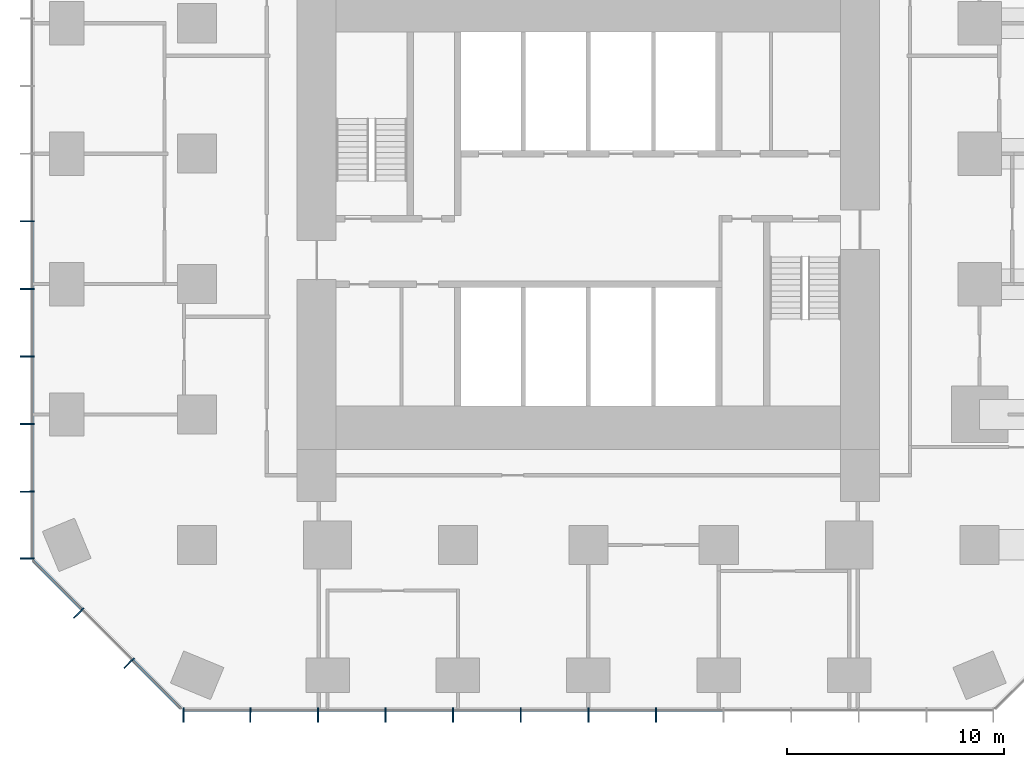
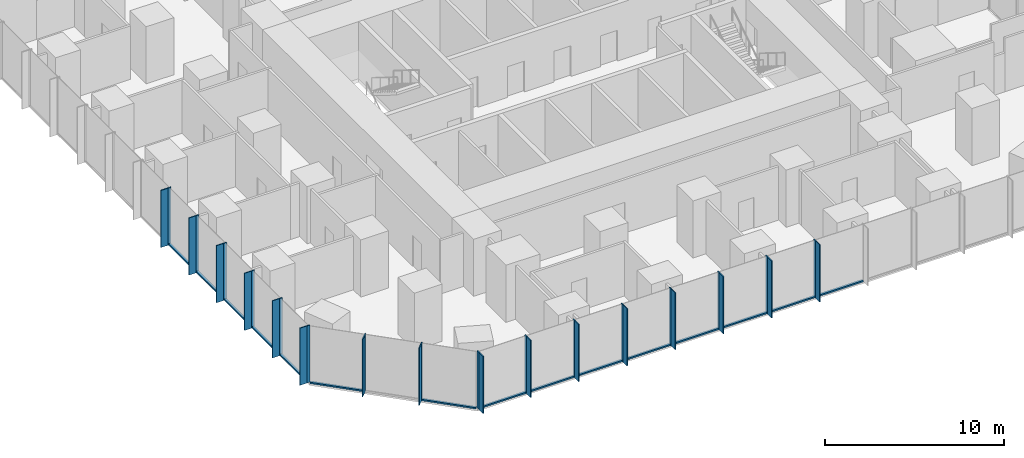
# One storey, part 2 of 12: 47 members, 3 elements without a shape of their own.
"""IFC4 building model written with IfcOpenShell, lengths in metres."""

from ifc_helpers import new_model, si_unit, direction, frame, origin, origin_2d, place, context, subcontext, project, spatial, rectangle, extrude, material, layer, layer_set, material_profile, profile_set, type_object, element, aggregate, save


model = new_model("IFC4")

# Units and contexts
model_context = context("Model", 3, precision=1e-05, world=origin(), true_north=direction((0.0, 1.0)))
body_context = subcontext(model_context, "Body", "Model", "MODEL_VIEW")
ifc_project = project(units=[si_unit("LENGTHUNIT", "METRE"), si_unit("AREAUNIT", "SQUARE_METRE"), si_unit("VOLUMEUNIT", "CUBIC_METRE"), si_unit("PLANEANGLEUNIT", "RADIAN"), si_unit("MASSUNIT", "GRAM", prefix="KILO")], contexts=[model_context])

# Site, building, storey
site_placement = place(None, origin())
site = spatial("IfcSite", under=ifc_project, at=site_placement, CompositionType="ELEMENT")
building_placement = place(site_placement, origin())
building = spatial("IfcBuilding", under=site, at=building_placement, Name="Highveld Stack Headquarters", CompositionType="ELEMENT")
storey_placement = place(building_placement, frame((0.0, 0.0, 68.89990234375)))
storey = spatial("IfcBuildingStorey", under=building, at=storey_placement, Name="L16", CompositionType="ELEMENT", Elevation=68.89990234375)

# Curtain wall, members
ifc_material_1 = material(Name="Aluminium bronze anodised", Category="aluminium")
ifc_layer_1 = layer(ifc_material_1, 0.199951171875)
ifc_layer_set_1 = layer_set([ifc_layer_1], Name="Aluminium bronze anodised")
curtain_wall_type_1 = type_object("IfcCurtainWallType", Name="CW1 TOWER UNITISED CURTAIN WALL", PredefinedType="NOTDEFINED", material=ifc_layer_set_1)
curtain_wall_1_placement = place(storey_placement, origin())
curtain_wall_1 = element("IfcCurtainWall", 1, at=curtain_wall_1_placement, inside=storey, type_object=curtain_wall_type_1, Name="Curtain wall CW1 L16 S", PredefinedType="NOTDEFINED")
ifc_material_2 = material(Name="Aluminium bronze anodised", Category="aluminium")
ifc_material_profile_1 = material_profile(ifc_material_2, rectangle(XDim=0.449951171875, YDim=0.06005859375, at=origin_2d()), Name="FIN 450x60")
ifc_profile_set_1 = profile_set([ifc_material_profile_1], Name="Aluminium bronze anodised")
member_type_1 = type_object("IfcMemberType", Name="CW1 BRONZE FIN 450x60", PredefinedType="USERDEFINED", material=ifc_profile_set_1)
member_1_placement = place(storey_placement, frame((-12.630126953125, -19.925048828125, 0.0), z_axis=(0.0, 0.0, 1.0), x_axis=(0.0, 1.0, 0.0)))
member_1 = element("IfcMember", 2, at=member_1_placement, type_object=member_type_1, Name="CW1 fin L16 1", ObjectType="FIN", PredefinedType="USERDEFINED", context=body_context, shape_type="SweptSolid", body=[
    extrude(rectangle(XDim=0.449951171875, YDim=0.06005859375, at=origin_2d()), origin(), (0.0, 0.0, 1.0), 3.900146484375),
])
member_2_placement = place(storey_placement, frame((-9.55224609375, -19.925048828125, 0.0), z_axis=(0.0, 0.0, 1.0), x_axis=(0.0, 1.0, 0.0)))
member_2 = element("IfcMember", 3, at=member_2_placement, type_object=member_type_1, Name="CW1 fin L16 2", ObjectType="FIN", PredefinedType="USERDEFINED", context=body_context, shape_type="SweptSolid", body=[
    extrude(rectangle(XDim=0.449951171875, YDim=0.06005859375, at=origin_2d()), origin(), (0.0, 0.0, 1.0), 3.900146484375),
])
member_3_placement = place(storey_placement, frame((-6.44189453125, -19.925048828125, 0.0), z_axis=(0.0, 0.0, 1.0), x_axis=(0.0, 1.0, 0.0)))
member_3 = element("IfcMember", 4, at=member_3_placement, type_object=member_type_1, Name="CW1 fin L16 3", ObjectType="FIN", PredefinedType="USERDEFINED", context=body_context, shape_type="SweptSolid", body=[
    extrude(rectangle(XDim=0.449951171875, YDim=0.06005859375, at=origin_2d()), origin(), (0.0, 0.0, 1.0), 3.900146484375),
])
member_4_placement = place(storey_placement, frame((-3.331298828125, -19.925048828125, 0.0), z_axis=(0.0, 0.0, 1.0), x_axis=(0.0, 1.0, 0.0)))
member_4 = element("IfcMember", 5, at=member_4_placement, type_object=member_type_1, Name="CW1 fin L16 4", ObjectType="FIN", PredefinedType="USERDEFINED", context=body_context, shape_type="SweptSolid", body=[
    extrude(rectangle(XDim=0.449951171875, YDim=0.06005859375, at=origin_2d()), origin(), (0.0, 0.0, 1.0), 3.900146484375),
])
member_5_placement = place(storey_placement, frame((-0.220947265625, -19.925048828125, 0.0), z_axis=(0.0, 0.0, 1.0), x_axis=(0.0, 1.0, 0.0)))
member_5 = element("IfcMember", 6, at=member_5_placement, type_object=member_type_1, Name="CW1 fin L16 5", ObjectType="FIN", PredefinedType="USERDEFINED", context=body_context, shape_type="SweptSolid", body=[
    extrude(rectangle(XDim=0.449951171875, YDim=0.06005859375, at=origin_2d()), origin(), (0.0, 0.0, 1.0), 3.900146484375),
])
member_6_placement = place(storey_placement, frame((2.8896484375, -19.925048828125, 0.0), z_axis=(0.0, 0.0, 1.0), x_axis=(0.0, 1.0, 0.0)))
member_6 = element("IfcMember", 7, at=member_6_placement, type_object=member_type_1, Name="CW1 fin L16 6", ObjectType="FIN", PredefinedType="USERDEFINED", context=body_context, shape_type="SweptSolid", body=[
    extrude(rectangle(XDim=0.449951171875, YDim=0.06005859375, at=origin_2d()), origin(), (0.0, 0.0, 1.0), 3.900146484375),
])
member_7_placement = place(storey_placement, frame((6.0, -19.925048828125, 0.0), z_axis=(0.0, 0.0, 1.0), x_axis=(0.0, 1.0, 0.0)))
member_7 = element("IfcMember", 8, at=member_7_placement, type_object=member_type_1, Name="CW1 fin L16 7", ObjectType="FIN", PredefinedType="USERDEFINED", context=body_context, shape_type="SweptSolid", body=[
    extrude(rectangle(XDim=0.449951171875, YDim=0.06005859375, at=origin_2d()), origin(), (0.0, 0.0, 1.0), 3.900146484375),
])
member_8_placement = place(storey_placement, frame((9.110595703125, -19.925048828125, 0.0), z_axis=(0.0, 0.0, 1.0), x_axis=(0.0, 1.0, 0.0)))
member_8 = element("IfcMember", 9, at=member_8_placement, type_object=member_type_1, Name="CW1 fin L16 8", ObjectType="FIN", PredefinedType="USERDEFINED", context=body_context, shape_type="SweptSolid", body=[
    extrude(rectangle(XDim=0.449951171875, YDim=0.06005859375, at=origin_2d()), origin(), (0.0, 0.0, 1.0), 3.900146484375),
])

curtain_wall_2_placement = place(storey_placement, origin())
curtain_wall_2 = element("IfcCurtainWall", 10, at=curtain_wall_2_placement, inside=storey, type_object=curtain_wall_type_1, Name="Curtain wall CW1 L16 W", PredefinedType="NOTDEFINED")
member_9_placement = place(storey_placement, frame((-19.925048828125, 2.889404296875, 0.0), z_axis=(0.0, 0.0, 1.0), x_axis=(1.0, 0.0, 0.0)))
member_9 = element("IfcMember", 11, at=member_9_placement, type_object=member_type_1, Name="CW1 fin L16 8", ObjectType="FIN", PredefinedType="USERDEFINED", context=body_context, shape_type="SweptSolid", body=[
    extrude(rectangle(XDim=0.449951171875, YDim=0.06005859375, at=origin_2d()), origin(), (0.0, 0.0, 1.0), 3.900146484375),
])
member_10_placement = place(storey_placement, frame((-19.925048828125, -0.220947265625, 0.0), z_axis=(0.0, 0.0, 1.0), x_axis=(1.0, 0.0, 0.0)))
member_10 = element("IfcMember", 12, at=member_10_placement, type_object=member_type_1, Name="CW1 fin L16 9", ObjectType="FIN", PredefinedType="USERDEFINED", context=body_context, shape_type="SweptSolid", body=[
    extrude(rectangle(XDim=0.449951171875, YDim=0.06005859375, at=origin_2d()), origin(), (0.0, 0.0, 1.0), 3.900146484375),
])
member_11_placement = place(storey_placement, frame((-19.925048828125, -3.331298828125, 0.0), z_axis=(0.0, 0.0, 1.0), x_axis=(1.0, 0.0, 0.0)))
member_11 = element("IfcMember", 13, at=member_11_placement, type_object=member_type_1, Name="CW1 fin L16 10", ObjectType="FIN", PredefinedType="USERDEFINED", context=body_context, shape_type="SweptSolid", body=[
    extrude(rectangle(XDim=0.449951171875, YDim=0.06005859375, at=origin_2d()), origin(), (0.0, 0.0, 1.0), 3.900146484375),
])
member_12_placement = place(storey_placement, frame((-19.925048828125, -6.44189453125, 0.0), z_axis=(0.0, 0.0, 1.0), x_axis=(1.0, 0.0, 0.0)))
member_12 = element("IfcMember", 14, at=member_12_placement, type_object=member_type_1, Name="CW1 fin L16 11", ObjectType="FIN", PredefinedType="USERDEFINED", context=body_context, shape_type="SweptSolid", body=[
    extrude(rectangle(XDim=0.449951171875, YDim=0.06005859375, at=origin_2d()), origin(), (0.0, 0.0, 1.0), 3.900146484375),
])
member_13_placement = place(storey_placement, frame((-19.925048828125, -9.55224609375, 0.0), z_axis=(0.0, 0.0, 1.0), x_axis=(1.0, 0.0, 0.0)))
member_13 = element("IfcMember", 15, at=member_13_placement, type_object=member_type_1, Name="CW1 fin L16 12", ObjectType="FIN", PredefinedType="USERDEFINED", context=body_context, shape_type="SweptSolid", body=[
    extrude(rectangle(XDim=0.449951171875, YDim=0.06005859375, at=origin_2d()), origin(), (0.0, 0.0, 1.0), 3.900146484375),
])
member_14_placement = place(storey_placement, frame((-19.925048828125, -12.630126953125, 0.0), z_axis=(0.0, 0.0, 1.0), x_axis=(1.0, 0.0, 0.0)))
member_14 = element("IfcMember", 16, at=member_14_placement, type_object=member_type_1, Name="CW1 fin L16 13", ObjectType="FIN", PredefinedType="USERDEFINED", context=body_context, shape_type="SweptSolid", body=[
    extrude(rectangle(XDim=0.449951171875, YDim=0.06005859375, at=origin_2d()), origin(), (0.0, 0.0, 1.0), 3.900146484375),
])

# Member
ifc_material_3 = material(Name="Aluminium bronze anodised", Category="aluminium")
ifc_material_profile_2 = material_profile(ifc_material_3, rectangle(XDim=0.199951171875, YDim=0.06494140625, at=origin_2d()), Name="CW1 MULLION 65x200")
ifc_profile_set_2 = profile_set([ifc_material_profile_2], Name="Aluminium bronze anodised")
member_type_2 = type_object("IfcMemberType", Name="CW1 MULLION 65x200", PredefinedType="MULLION", material=ifc_profile_set_2)
member_15_placement = place(storey_placement, frame((-12.630126953125, -19.60009765625, 0.0), z_axis=(0.0, 0.0, 1.0), x_axis=(0.0, 1.0, 0.0)))
member_15 = element("IfcMember", 17, at=member_15_placement, type_object=member_type_2, Name="CW1 mullion L16 1", PredefinedType="MULLION", context=body_context, shape_type="SweptSolid", body=[
    extrude(rectangle(XDim=0.199951171875, YDim=0.06494140625, at=origin_2d()), origin(), (0.0, 0.0, 1.0), 3.900146484375),
])

member_16_placement = place(storey_placement, frame((-9.55224609375, -19.60009765625, 0.0), z_axis=(0.0, 0.0, 1.0), x_axis=(0.0, 1.0, 0.0)))
member_16 = element("IfcMember", 18, at=member_16_placement, type_object=member_type_2, Name="CW1 mullion L16 2", PredefinedType="MULLION", context=body_context, shape_type="SweptSolid", body=[
    extrude(rectangle(XDim=0.199951171875, YDim=0.06494140625, at=origin_2d()), origin(), (0.0, 0.0, 1.0), 3.900146484375),
])

member_17_placement = place(storey_placement, frame((-6.44189453125, -19.60009765625, 0.0), z_axis=(0.0, 0.0, 1.0), x_axis=(0.0, 1.0, 0.0)))
member_17 = element("IfcMember", 19, at=member_17_placement, type_object=member_type_2, Name="CW1 mullion L16 3", PredefinedType="MULLION", context=body_context, shape_type="SweptSolid", body=[
    extrude(rectangle(XDim=0.199951171875, YDim=0.06494140625, at=origin_2d()), origin(), (0.0, 0.0, 1.0), 3.900146484375),
])

member_18_placement = place(storey_placement, frame((-3.331298828125, -19.60009765625, 0.0), z_axis=(0.0, 0.0, 1.0), x_axis=(0.0, 1.0, 0.0)))
member_18 = element("IfcMember", 20, at=member_18_placement, type_object=member_type_2, Name="CW1 mullion L16 4", PredefinedType="MULLION", context=body_context, shape_type="SweptSolid", body=[
    extrude(rectangle(XDim=0.199951171875, YDim=0.06494140625, at=origin_2d()), origin(), (0.0, 0.0, 1.0), 3.900146484375),
])

member_19_placement = place(storey_placement, frame((-0.220947265625, -19.60009765625, 0.0), z_axis=(0.0, 0.0, 1.0), x_axis=(0.0, 1.0, 0.0)))
member_19 = element("IfcMember", 21, at=member_19_placement, type_object=member_type_2, Name="CW1 mullion L16 5", PredefinedType="MULLION", context=body_context, shape_type="SweptSolid", body=[
    extrude(rectangle(XDim=0.199951171875, YDim=0.06494140625, at=origin_2d()), origin(), (0.0, 0.0, 1.0), 3.900146484375),
])

member_20_placement = place(storey_placement, frame((2.8896484375, -19.60009765625, 0.0), z_axis=(0.0, 0.0, 1.0), x_axis=(0.0, 1.0, 0.0)))
member_20 = element("IfcMember", 22, at=member_20_placement, type_object=member_type_2, Name="CW1 mullion L16 6", PredefinedType="MULLION", context=body_context, shape_type="SweptSolid", body=[
    extrude(rectangle(XDim=0.199951171875, YDim=0.06494140625, at=origin_2d()), origin(), (0.0, 0.0, 1.0), 3.900146484375),
])

member_21_placement = place(storey_placement, frame((6.0, -19.60009765625, 0.0), z_axis=(0.0, 0.0, 1.0), x_axis=(0.0, 1.0, 0.0)))
member_21 = element("IfcMember", 23, at=member_21_placement, type_object=member_type_2, Name="CW1 mullion L16 7", PredefinedType="MULLION", context=body_context, shape_type="SweptSolid", body=[
    extrude(rectangle(XDim=0.199951171875, YDim=0.06494140625, at=origin_2d()), origin(), (0.0, 0.0, 1.0), 3.900146484375),
])

member_22_placement = place(storey_placement, frame((9.110595703125, -19.60009765625, 0.0), z_axis=(0.0, 0.0, 1.0), x_axis=(0.0, 1.0, 0.0)))
member_22 = element("IfcMember", 24, at=member_22_placement, type_object=member_type_2, Name="CW1 mullion L16 8", PredefinedType="MULLION", context=body_context, shape_type="SweptSolid", body=[
    extrude(rectangle(XDim=0.199951171875, YDim=0.06494140625, at=origin_2d()), origin(), (0.0, 0.0, 1.0), 3.900146484375),
])

member_23_placement = place(storey_placement, frame((-19.60009765625, 2.889404296875, 0.0), z_axis=(0.0, 0.0, 1.0), x_axis=(1.0, 0.0, 0.0)))
member_23 = element("IfcMember", 25, at=member_23_placement, type_object=member_type_2, Name="CW1 mullion L16 8", PredefinedType="MULLION", context=body_context, shape_type="SweptSolid", body=[
    extrude(rectangle(XDim=0.199951171875, YDim=0.06494140625, at=origin_2d()), origin(), (0.0, 0.0, 1.0), 3.900146484375),
])

member_24_placement = place(storey_placement, frame((-19.60009765625, -0.220947265625, 0.0), z_axis=(0.0, 0.0, 1.0), x_axis=(1.0, 0.0, 0.0)))
member_24 = element("IfcMember", 26, at=member_24_placement, type_object=member_type_2, Name="CW1 mullion L16 9", PredefinedType="MULLION", context=body_context, shape_type="SweptSolid", body=[
    extrude(rectangle(XDim=0.199951171875, YDim=0.06494140625, at=origin_2d()), origin(), (0.0, 0.0, 1.0), 3.900146484375),
])

member_25_placement = place(storey_placement, frame((-19.60009765625, -3.331298828125, 0.0), z_axis=(0.0, 0.0, 1.0), x_axis=(1.0, 0.0, 0.0)))
member_25 = element("IfcMember", 27, at=member_25_placement, type_object=member_type_2, Name="CW1 mullion L16 10", PredefinedType="MULLION", context=body_context, shape_type="SweptSolid", body=[
    extrude(rectangle(XDim=0.199951171875, YDim=0.06494140625, at=origin_2d()), origin(), (0.0, 0.0, 1.0), 3.900146484375),
])

member_26_placement = place(storey_placement, frame((-19.60009765625, -6.44189453125, 0.0), z_axis=(0.0, 0.0, 1.0), x_axis=(1.0, 0.0, 0.0)))
member_26 = element("IfcMember", 28, at=member_26_placement, type_object=member_type_2, Name="CW1 mullion L16 11", PredefinedType="MULLION", context=body_context, shape_type="SweptSolid", body=[
    extrude(rectangle(XDim=0.199951171875, YDim=0.06494140625, at=origin_2d()), origin(), (0.0, 0.0, 1.0), 3.900146484375),
])

member_27_placement = place(storey_placement, frame((-19.60009765625, -9.55224609375, 0.0), z_axis=(0.0, 0.0, 1.0), x_axis=(1.0, 0.0, 0.0)))
member_27 = element("IfcMember", 29, at=member_27_placement, type_object=member_type_2, Name="CW1 mullion L16 12", PredefinedType="MULLION", context=body_context, shape_type="SweptSolid", body=[
    extrude(rectangle(XDim=0.199951171875, YDim=0.06494140625, at=origin_2d()), origin(), (0.0, 0.0, 1.0), 3.900146484375),
])

member_28_placement = place(storey_placement, frame((-19.60009765625, -12.630126953125, 0.0), z_axis=(0.0, 0.0, 1.0), x_axis=(1.0, 0.0, 0.0)))
member_28 = element("IfcMember", 30, at=member_28_placement, type_object=member_type_2, Name="CW1 mullion L16 13", PredefinedType="MULLION", context=body_context, shape_type="SweptSolid", body=[
    extrude(rectangle(XDim=0.199951171875, YDim=0.06494140625, at=origin_2d()), origin(), (0.0, 0.0, 1.0), 3.900146484375),
])

ifc_material_4 = material(Name="Aluminium bronze anodised", Category="aluminium")
ifc_material_profile_3 = material_profile(ifc_material_4, rectangle(XDim=0.14990234375, YDim=0.10009765625, at=origin_2d()), Name="CW1 TRANSOM 150x100")
ifc_profile_set_3 = profile_set([ifc_material_profile_3], Name="Aluminium bronze anodised")
member_type_3 = type_object("IfcMemberType", Name="CW1 STACK TRANSOM 150x100", PredefinedType="USERDEFINED", material=ifc_profile_set_3)
member_29_placement = place(storey_placement, frame((-12.59765625, -19.60009765625, 0.050048828125), z_axis=(1.0, 0.0, 0.0), x_axis=(0.0, 1.0, 0.0)))
member_29 = element("IfcMember", 31, at=member_29_placement, type_object=member_type_3, Name="CW1 transom L16 1.1", ObjectType="TRANSOM", PredefinedType="USERDEFINED", context=body_context, shape_type="SweptSolid", body=[
    extrude(rectangle(XDim=0.14990234375, YDim=0.10009765625, at=origin_2d()), origin(), (0.0, 0.0, 1.0), 3.012939453125),
])

member_30_placement = place(storey_placement, frame((-9.519775390625, -19.60009765625, 0.050048828125), z_axis=(1.0, 0.0, 0.0), x_axis=(0.0, 1.0, 0.0)))
member_30 = element("IfcMember", 32, at=member_30_placement, type_object=member_type_3, Name="CW1 transom L16 2.1", ObjectType="TRANSOM", PredefinedType="USERDEFINED", context=body_context, shape_type="SweptSolid", body=[
    extrude(rectangle(XDim=0.14990234375, YDim=0.10009765625, at=origin_2d()), origin(), (0.0, 0.0, 1.0), 3.04541015625),
])

member_31_placement = place(storey_placement, frame((-6.4091796875, -19.60009765625, 0.050048828125), z_axis=(1.0, 0.0, 0.0), x_axis=(0.0, 1.0, 0.0)))
member_31 = element("IfcMember", 33, at=member_31_placement, type_object=member_type_3, Name="CW1 transom L16 3.1", ObjectType="TRANSOM", PredefinedType="USERDEFINED", context=body_context, shape_type="SweptSolid", body=[
    extrude(rectangle(XDim=0.14990234375, YDim=0.10009765625, at=origin_2d()), origin(), (0.0, 0.0, 1.0), 3.04541015625),
])

member_32_placement = place(storey_placement, frame((-3.298828125, -19.60009765625, 0.050048828125), z_axis=(1.0, 0.0, 0.0), x_axis=(0.0, 1.0, 0.0)))
member_32 = element("IfcMember", 34, at=member_32_placement, type_object=member_type_3, Name="CW1 transom L16 4.1", ObjectType="TRANSOM", PredefinedType="USERDEFINED", context=body_context, shape_type="SweptSolid", body=[
    extrude(rectangle(XDim=0.14990234375, YDim=0.10009765625, at=origin_2d()), origin(), (0.0, 0.0, 1.0), 3.04541015625),
])

member_33_placement = place(storey_placement, frame((-0.1884765625, -19.60009765625, 0.050048828125), z_axis=(1.0, 0.0, 0.0), x_axis=(0.0, 1.0, 0.0)))
member_33 = element("IfcMember", 35, at=member_33_placement, type_object=member_type_3, Name="CW1 transom L16 5.1", ObjectType="TRANSOM", PredefinedType="USERDEFINED", context=body_context, shape_type="SweptSolid", body=[
    extrude(rectangle(XDim=0.14990234375, YDim=0.10009765625, at=origin_2d()), origin(), (0.0, 0.0, 1.0), 3.045654296875),
])

member_34_placement = place(storey_placement, frame((2.922119140625, -19.60009765625, 0.050048828125), z_axis=(1.0, 0.0, 0.0), x_axis=(0.0, 1.0, 0.0)))
member_34 = element("IfcMember", 36, at=member_34_placement, type_object=member_type_3, Name="CW1 transom L16 6.1", ObjectType="TRANSOM", PredefinedType="USERDEFINED", context=body_context, shape_type="SweptSolid", body=[
    extrude(rectangle(XDim=0.14990234375, YDim=0.10009765625, at=origin_2d()), origin(), (0.0, 0.0, 1.0), 3.04541015625),
])

member_35_placement = place(storey_placement, frame((6.032470703125, -19.60009765625, 0.050048828125), z_axis=(1.0, 0.0, 0.0), x_axis=(0.0, 1.0, 0.0)))
member_35 = element("IfcMember", 37, at=member_35_placement, type_object=member_type_3, Name="CW1 transom L16 7.1", ObjectType="TRANSOM", PredefinedType="USERDEFINED", context=body_context, shape_type="SweptSolid", body=[
    extrude(rectangle(XDim=0.14990234375, YDim=0.10009765625, at=origin_2d()), origin(), (0.0, 0.0, 1.0), 3.04541015625),
])

member_36_placement = place(storey_placement, frame((9.14306640625, -19.60009765625, 0.050048828125), z_axis=(1.0, 0.0, 0.0), x_axis=(0.0, 1.0, 0.0)))
member_36 = element("IfcMember", 38, at=member_36_placement, type_object=member_type_3, Name="CW1 transom L16 8.1", ObjectType="TRANSOM", PredefinedType="USERDEFINED", context=body_context, shape_type="SweptSolid", body=[
    extrude(rectangle(XDim=0.14990234375, YDim=0.10009765625, at=origin_2d()), origin(), (0.0, 0.0, 1.0), 3.04541015625),
])

aggregate(curtain_wall_1, [member_15, member_1, member_16, member_2, member_17, member_3, member_18, member_4, member_19, member_5, member_20, member_6, member_21, member_7, member_22, member_8, member_29, member_30, member_31, member_32, member_33, member_34, member_35, member_36])

member_37_placement = place(storey_placement, frame((-19.60009765625, 2.857177734375, 0.050048828125), z_axis=(0.0, -1.0, 0.0), x_axis=(1.0, 0.0, 0.0)))
member_37 = element("IfcMember", 39, at=member_37_placement, type_object=member_type_3, Name="CW1 transom L16 8.1", ObjectType="TRANSOM", PredefinedType="USERDEFINED", context=body_context, shape_type="SweptSolid", body=[
    extrude(rectangle(XDim=0.14990234375, YDim=0.10009765625, at=origin_2d()), origin(), (0.0, 0.0, 1.0), 3.045654296875),
])

member_38_placement = place(storey_placement, frame((-19.60009765625, -0.25341796875, 0.050048828125), z_axis=(0.0, -1.0, 0.0), x_axis=(1.0, 0.0, 0.0)))
member_38 = element("IfcMember", 40, at=member_38_placement, type_object=member_type_3, Name="CW1 transom L16 9.1", ObjectType="TRANSOM", PredefinedType="USERDEFINED", context=body_context, shape_type="SweptSolid", body=[
    extrude(rectangle(XDim=0.14990234375, YDim=0.10009765625, at=origin_2d()), origin(), (0.0, 0.0, 1.0), 3.04541015625),
])

member_39_placement = place(storey_placement, frame((-19.60009765625, -3.36376953125, 0.050048828125), z_axis=(0.0, -1.0, 0.0), x_axis=(1.0, 0.0, 0.0)))
member_39 = element("IfcMember", 41, at=member_39_placement, type_object=member_type_3, Name="CW1 transom L16 10.1", ObjectType="TRANSOM", PredefinedType="USERDEFINED", context=body_context, shape_type="SweptSolid", body=[
    extrude(rectangle(XDim=0.14990234375, YDim=0.10009765625, at=origin_2d()), origin(), (0.0, 0.0, 1.0), 3.04541015625),
])

member_40_placement = place(storey_placement, frame((-19.60009765625, -6.474365234375, 0.050048828125), z_axis=(0.0, -1.0, 0.0), x_axis=(1.0, 0.0, 0.0)))
member_40 = element("IfcMember", 42, at=member_40_placement, type_object=member_type_3, Name="CW1 transom L16 11.1", ObjectType="TRANSOM", PredefinedType="USERDEFINED", context=body_context, shape_type="SweptSolid", body=[
    extrude(rectangle(XDim=0.14990234375, YDim=0.10009765625, at=origin_2d()), origin(), (0.0, 0.0, 1.0), 3.04541015625),
])

member_41_placement = place(storey_placement, frame((-19.60009765625, -9.584716796875, 0.050048828125), z_axis=(0.0, -1.0, 0.0), x_axis=(1.0, 0.0, 0.0)))
member_41 = element("IfcMember", 43, at=member_41_placement, type_object=member_type_3, Name="CW1 transom L16 12.1", ObjectType="TRANSOM", PredefinedType="USERDEFINED", context=body_context, shape_type="SweptSolid", body=[
    extrude(rectangle(XDim=0.14990234375, YDim=0.10009765625, at=origin_2d()), origin(), (0.0, 0.0, 1.0), 3.012939453125),
])

aggregate(curtain_wall_2, [member_23, member_9, member_24, member_10, member_25, member_11, member_26, member_12, member_27, member_13, member_28, member_14, member_37, member_38, member_39, member_40, member_41])

# Curtain wall, members
ifc_material_5 = material(Name="Aluminium bronze anodised", Category="aluminium")
ifc_layer_2 = layer(ifc_material_5, 0.199951171875)
ifc_layer_set_2 = layer_set([ifc_layer_2], Name="Aluminium bronze anodised")
curtain_wall_type_2 = type_object("IfcCurtainWallType", Name="CW2 TOWER CHAMFER UNITISED CURTAIN WALL", PredefinedType="NOTDEFINED", material=ifc_layer_set_2)
curtain_wall_3_placement = place(storey_placement, origin())
curtain_wall_3 = element("IfcCurtainWall", 44, at=curtain_wall_3_placement, inside=storey, type_object=curtain_wall_type_2, Name="Curtain wall CW2 L16 SW", PredefinedType="NOTDEFINED")
ifc_material_6 = material(Name="Aluminium bronze anodised", Category="aluminium")
ifc_material_profile_4 = material_profile(ifc_material_6, rectangle(XDim=0.449951171875, YDim=0.06005859375, at=origin_2d()), Name="FIN 450x60")
ifc_profile_set_4 = profile_set([ifc_material_profile_4], Name="Aluminium bronze anodised")
member_type_4 = type_object("IfcMemberType", Name="CW2 BRONZE FIN 450x60", PredefinedType="USERDEFINED", material=ifc_profile_set_4)
member_42_placement = place(storey_placement, frame((-17.517333984375, -15.204833984375, 0.0), z_axis=(0.0, 0.0, 1.0), x_axis=(0.707106781187, 0.707106781187, 0.0)))
member_42 = element("IfcMember", 45, at=member_42_placement, type_object=member_type_4, Name="CW2 fin L16 1", ObjectType="FIN", PredefinedType="USERDEFINED", context=body_context, shape_type="SweptSolid", body=[
    extrude(rectangle(XDim=0.449951171875, YDim=0.06005859375, at=origin_2d()), origin(), (0.0, 0.0, 1.0), 3.900146484375),
])
member_43_placement = place(storey_placement, frame((-15.204833984375, -17.517333984375, 0.0), z_axis=(0.0, 0.0, 1.0), x_axis=(0.707106781187, 0.707106781187, 0.0)))
member_43 = element("IfcMember", 46, at=member_43_placement, type_object=member_type_4, Name="CW2 fin L16 2", ObjectType="FIN", PredefinedType="USERDEFINED", context=body_context, shape_type="SweptSolid", body=[
    extrude(rectangle(XDim=0.449951171875, YDim=0.06005859375, at=origin_2d()), origin(), (0.0, 0.0, 1.0), 3.900146484375),
])
ifc_material_7 = material(Name="Aluminium bronze anodised", Category="aluminium")
ifc_material_profile_5 = material_profile(ifc_material_7, rectangle(XDim=0.199951171875, YDim=0.06494140625, at=origin_2d()), Name="CW2 MULLION 65x200")
ifc_profile_set_5 = profile_set([ifc_material_profile_5], Name="Aluminium bronze anodised")
member_type_5 = type_object("IfcMemberType", Name="CW2 MULLION 65x200", PredefinedType="MULLION", material=ifc_profile_set_5)
member_44_placement = place(storey_placement, frame((-17.28759765625, -14.97509765625, 0.0), z_axis=(0.0, 0.0, 1.0), x_axis=(0.707106781187, 0.707106781187, 0.0)))
member_44 = element("IfcMember", 47, at=member_44_placement, type_object=member_type_5, Name="CW2 mullion L16 1", PredefinedType="MULLION", context=body_context, shape_type="SweptSolid", body=[
    extrude(rectangle(XDim=0.199951171875, YDim=0.06494140625, at=origin_2d()), origin(), (0.0, 0.0, 1.0), 3.900146484375),
])
member_45_placement = place(storey_placement, frame((-14.97509765625, -17.28759765625, 0.0), z_axis=(0.0, 0.0, 1.0), x_axis=(0.707106781187, 0.707106781187, 0.0)))
member_45 = element("IfcMember", 48, at=member_45_placement, type_object=member_type_5, Name="CW2 mullion L16 2", PredefinedType="MULLION", context=body_context, shape_type="SweptSolid", body=[
    extrude(rectangle(XDim=0.199951171875, YDim=0.06494140625, at=origin_2d()), origin(), (0.0, 0.0, 1.0), 3.900146484375),
])
ifc_material_8 = material(Name="Aluminium bronze anodised", Category="aluminium")
ifc_material_profile_6 = material_profile(ifc_material_8, rectangle(XDim=0.14990234375, YDim=0.10009765625, at=origin_2d()), Name="CW2 TRANSOM 150x100")
ifc_profile_set_6 = profile_set([ifc_material_profile_6], Name="Aluminium bronze anodised")
member_type_6 = type_object("IfcMemberType", Name="CW2 STACK TRANSOM 150x100", PredefinedType="USERDEFINED", material=ifc_profile_set_6)
member_46_placement = place(storey_placement, frame((-19.529296875, -12.7333984375, 0.050048828125), z_axis=(0.707106781187, -0.707106781187, 0.0), x_axis=(0.707106781187, 0.707106781187, 0.0)))
member_46 = element("IfcMember", 49, at=member_46_placement, type_object=member_type_6, Name="CW2 transom L16 1.1", ObjectType="TRANSOM", PredefinedType="USERDEFINED", context=body_context, shape_type="SweptSolid", body=[
    extrude(rectangle(XDim=0.14990234375, YDim=0.10009765625, at=origin_2d()), origin(), (0.0, 0.0, 1.0), 3.1376953125),
])
member_47_placement = place(storey_placement, frame((-14.9521484375, -17.310546875, 0.050048828125), z_axis=(0.707106781187, -0.707106781187, 0.0), x_axis=(0.707106781187, 0.707106781187, 0.0)))
member_47 = element("IfcMember", 50, at=member_47_placement, type_object=member_type_6, Name="CW2 transom L16 3.1", ObjectType="TRANSOM", PredefinedType="USERDEFINED", context=body_context, shape_type="SweptSolid", body=[
    extrude(rectangle(XDim=0.14990234375, YDim=0.10009765625, at=origin_2d()), origin(), (0.0, 0.0, 1.0), 3.1376953125),
])
aggregate(curtain_wall_3, [member_44, member_42, member_45, member_43, member_46, member_47])

save(model, "model.ifc")
